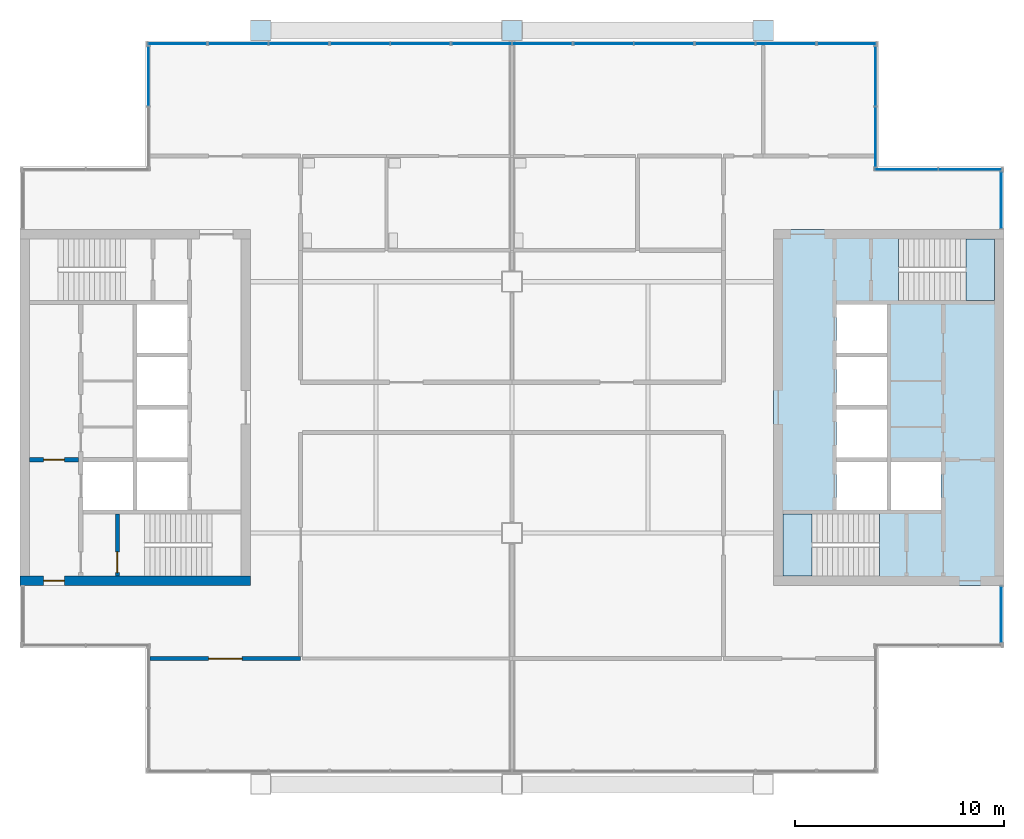
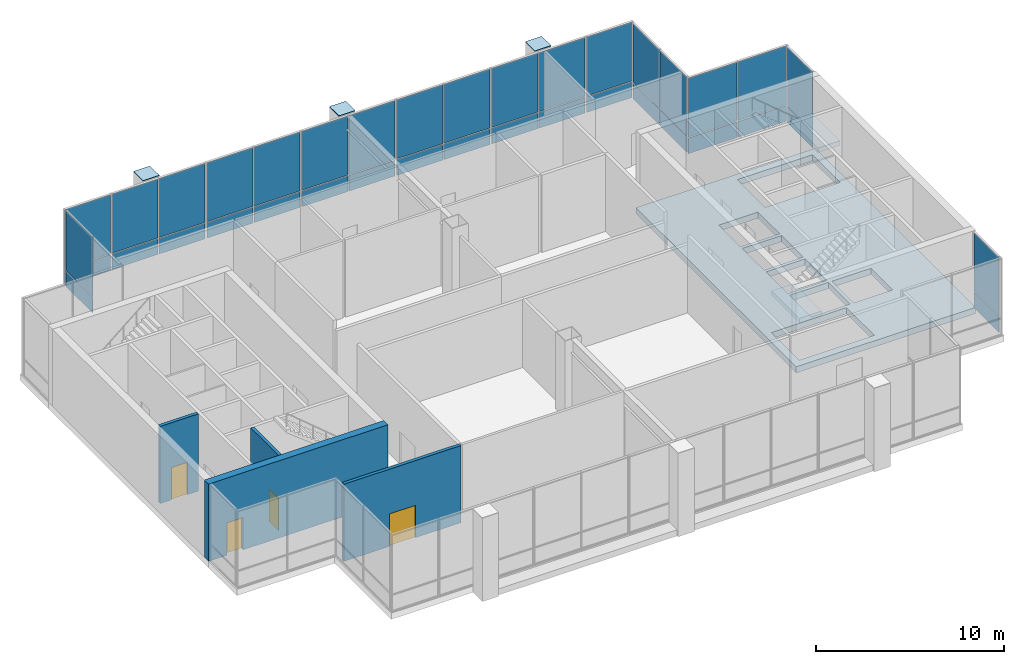
# One storey, part 10 of 15: 41 plates, 4 doors, 4 walls, 3 slabs, 4 openings, 14 elements without a shape of their own.
"""IFC4 building model written with IfcOpenShell, lengths in metres."""

import ifcopenshell
import ifcopenshell.guid

model = None  # the IFC model being written
_history = None  # IfcOwnerHistory: only IFC2X3 demands one
_inside = {}  # id of a spatial element -> (the spatial element, [elements in it])
_under = {}  # id of a project, library or spatial element -> (it, [spatial elements below it])
_declared = {}  # id of a project -> (the project, [libraries it declares])
_typed = {}  # id of a type object -> (the type object, [elements of that type])
_made_of = {}  # id of a material, layer set ... -> (it, [elements and type objects made of it])


def new_model(schema):
    """Start an empty IFC model of exactly this schema.

    Asked for "IFC4X3", IfcOpenShell would pick the latest addendum, in which some entities
    have other attributes; the version numbers below select the first issue.
    IFC2X3 requires an IfcOwnerHistory on every rooted entity: one is made here for all.
    """
    global model, _history
    if schema == "IFC4X3":
        model = ifcopenshell.file(schema_version=(4, 3, 0, 0))
    else:
        model = ifcopenshell.file(schema=schema)
    _inside.clear()
    _under.clear()
    _declared.clear()
    _typed.clear()
    _made_of.clear()
    _history = None
    if model.schema == "IFC2X3":
        org = make("IfcOrganization", Name="unknown")
        user = make(
            "IfcPersonAndOrganization",
            ThePerson=make("IfcPerson", FamilyName="unknown"),
            TheOrganization=org,
        )
        app = make(
            "IfcApplication",
            ApplicationDeveloper=org,
            Version="unknown",
            ApplicationFullName="unknown",
            ApplicationIdentifier="unknown",
        )
        _history = make(
            "IfcOwnerHistory",
            OwningUser=user,
            OwningApplication=app,
            ChangeAction="ADDED",
            CreationDate=0,
        )
    return model


def make(cls, **values):
    """One entity of the class cls with the attributes given. An attribute that is None is left unset."""
    return model.create_entity(
        cls, **{name: value for name, value in values.items() if value is not None}
    )


def rooted(cls, **values):
    """An entity with a GlobalId (a new one), such as an element, a storey or a relation."""
    return make(cls, GlobalId=ifcopenshell.guid.new(), OwnerHistory=_history, **values)


def si_unit(unit_type, name, prefix=None):
    """IfcSIUnit, for example si_unit("LENGTHUNIT", "METRE", prefix="MILLI")."""
    return make("IfcSIUnit", UnitType=unit_type, Prefix=prefix, Name=name)


def assignment(units):
    """IfcUnitAssignment: the units of a project."""
    return None if units is None else make("IfcUnitAssignment", Units=units)


def point(xyz):
    """IfcCartesianPoint."""
    return None if xyz is None else make("IfcCartesianPoint", Coordinates=xyz)


def direction(xyz):
    """IfcDirection."""
    return None if xyz is None else make("IfcDirection", DirectionRatios=xyz)


def frame(location, z_axis=None, x_axis=None):
    """IfcAxis2Placement3D, a coordinate frame: its origin and axes. An axis left out is left unset."""
    return make(
        "IfcAxis2Placement3D",
        Location=point(location),
        Axis=direction(z_axis),
        RefDirection=direction(x_axis),
    )


def frame_2d(location, x_axis=None):
    """IfcAxis2Placement2D, a coordinate frame in the plane: its origin and x axis."""
    return make(
        "IfcAxis2Placement2D", Location=point(location), RefDirection=direction(x_axis)
    )


def origin():
    """The frame at (0, 0, 0) with its axes left unset."""
    return frame((0.0, 0.0, 0.0))


def origin_2d():
    """The frame at (0, 0) in the plane with its x axis left unset."""
    return frame_2d((0.0, 0.0))


def place(relative_to, where):
    """IfcLocalPlacement: puts the frame where relative to a parent placement (None: the world)."""
    return make(
        "IfcLocalPlacement", PlacementRelTo=relative_to, RelativePlacement=where
    )


def context(
    kind, dimensions, precision=None, world=None, true_north=None, identifier=None
):
    """IfcGeometricRepresentationContext, for example the 3D "Model" context."""
    return make(
        "IfcGeometricRepresentationContext",
        ContextIdentifier=identifier,
        ContextType=kind,
        CoordinateSpaceDimension=dimensions,
        Precision=precision,
        WorldCoordinateSystem=world,
        TrueNorth=true_north,
    )


def subcontext(parent, identifier, kind, view, scale=None):
    """IfcGeometricRepresentationSubContext, for example "Body" below "Model"."""
    return make(
        "IfcGeometricRepresentationSubContext",
        ContextIdentifier=identifier,
        ContextType=kind,
        ParentContext=parent,
        TargetScale=scale,
        TargetView=view,
    )


def project(units=None, contexts=None):
    """IfcProject with its units and contexts."""
    return rooted(
        "IfcProject",
        Name="project",
        RepresentationContexts=contexts,
        UnitsInContext=assignment(units),
    )


def spatial(cls, under=None, at=None, **own):
    """A site, building, storey or space (cls), placed at a placement, below another one or the project."""
    s = rooted(cls, ObjectPlacement=at, **own)
    if under is not None:
        _under.setdefault(under.id(), (under, []))[1].append(s)
    return s


def polyline(points):
    """IfcPolyline through the points."""
    return make("IfcPolyline", Points=[point(p) for p in points])


def profile(cls, at=None, kind="AREA", **sizes):
    """A parametric profile (cls). Its sizes go by their IFC names, for example OverallWidth=200.0."""
    return make(cls, ProfileType=kind, Position=at, **sizes)


def rectangle(**sizes):
    """IfcRectangleProfileDef."""
    return profile("IfcRectangleProfileDef", **sizes)


def outline(outer, holes=None, kind="AREA"):
    """IfcArbitraryClosedProfileDef: a profile drawn as a closed curve; with holes, ...WithVoids."""
    if holes is None:
        return make("IfcArbitraryClosedProfileDef", ProfileType=kind, OuterCurve=outer)
    return make(
        "IfcArbitraryProfileDefWithVoids",
        ProfileType=kind,
        OuterCurve=outer,
        InnerCurves=holes,
    )


def extrude(swept, where, along, depth):
    """IfcExtrudedAreaSolid: the profile swept, set in the frame where, extruded along a direction by depth."""
    return make(
        "IfcExtrudedAreaSolid",
        SweptArea=swept,
        Position=where,
        ExtrudedDirection=direction(along),
        Depth=depth,
    )


def shape(context_of_items, identifier, shape_type, items):
    """IfcShapeRepresentation: the items that make up one representation, for example the "Body"."""
    return make(
        "IfcShapeRepresentation",
        ContextOfItems=context_of_items,
        RepresentationIdentifier=identifier,
        RepresentationType=shape_type,
        Items=items,
    )


def material(Name=None, Category=None):
    """IfcMaterial."""
    return make("IfcMaterial", Name=Name, Category=Category)


def layer(
    of_material, thickness, ventilated=None, Name=None, Category=None, Priority=None
):
    """IfcMaterialLayer: one layer of a wall or slab, of a material (None: an air gap)."""
    return make(
        "IfcMaterialLayer",
        Material=of_material,
        LayerThickness=thickness,
        IsVentilated=ventilated,
        Name=Name,
        Category=Category,
        Priority=Priority,
    )


def layer_set(layers, Name=None):
    """IfcMaterialLayerSet."""
    return make("IfcMaterialLayerSet", MaterialLayers=layers, LayerSetName=Name)


def made_of(thing, what):
    """Note that an element or type object is made of a material, layer set ...; save() writes the relation."""
    if what is not None:
        _made_of.setdefault(what.id(), (what, []))[1].append(thing)
    return thing


def type_object(cls, material=None, **own):
    """A type object (cls), such as IfcWallType, which elements share."""
    return made_of(rooted(cls, **own), material)


def element(
    cls,
    number,
    at=None,
    inside=None,
    cuts=None,
    type_object=None,
    material=None,
    context=None,
    identifier="Body",
    shape_type=None,
    held_by="IfcProductDefinitionShape",
    body=None,
    shapes=None,
    **own,
):
    """One element of the class cls, such as IfcWall. Its Tag is "e" and its number.

    at: its placement. inside: the storey or other place that contains it. cuts: it is an
    opening in that element (IfcRelVoidsElement). A single representation is given by context,
    identifier, shape_type and body (its items); several are given by shapes. held_by: the class
    of the entity that holds the representations. save() writes the other relations.
    """
    e = rooted(cls, Tag="e%d" % number, ObjectPlacement=at, **own)
    if body is not None:
        shapes = [shape(context, identifier, shape_type, body)]
    if shapes is not None:
        e.Representation = make(held_by, Representations=shapes)
    if inside is not None:
        _inside.setdefault(inside.id(), (inside, []))[1].append(e)
    if cuts is not None:
        rooted(
            "IfcRelVoidsElement", RelatingBuildingElement=cuts, RelatedOpeningElement=e
        )
    if type_object is not None:
        _typed.setdefault(type_object.id(), (type_object, []))[1].append(e)
    return made_of(e, material)


def fill(opening, filler):
    """IfcRelFillsElement: the door or window that sits in an opening."""
    return rooted(
        "IfcRelFillsElement",
        RelatingOpeningElement=opening,
        RelatedBuildingElement=filler,
    )


def aggregate(whole, parts):
    """IfcRelAggregates: a whole, such as a stair, and the parts it consists of."""
    return rooted("IfcRelAggregates", RelatingObject=whole, RelatedObjects=parts)


def save(model, path):
    """Write the relations noted so far, then the file.

    IfcRelAggregates (storeys below a building ...), IfcRelContainedInSpatialStructure (elements
    in a storey), IfcRelDefinesByType, IfcRelAssociatesMaterial and IfcRelDeclares: one each for
    every whole, place, type object, material and project.
    """
    for whole, parts in _under.values():
        aggregate(whole, parts)
    for where, things in _inside.values():
        rooted(
            "IfcRelContainedInSpatialStructure",
            RelatedElements=things,
            RelatingStructure=where,
        )
    for kind, things in _typed.values():
        rooted("IfcRelDefinesByType", RelatedObjects=things, RelatingType=kind)
    for what, things in _made_of.values():
        rooted("IfcRelAssociatesMaterial", RelatedObjects=things, RelatingMaterial=what)
    for by, libraries in _declared.values():
        rooted("IfcRelDeclares", RelatingContext=by, RelatedDefinitions=libraries)
    model.write(path)


model = new_model("IFC4")

# Units and contexts
model_context = context("Model", 3, precision=1e-05, world=origin(), true_north=direction((0.0, 1.0)))
body_context = subcontext(model_context, "Body", "Model", "MODEL_VIEW")
ifc_project = project(units=[si_unit("LENGTHUNIT", "METRE"), si_unit("AREAUNIT", "SQUARE_METRE"), si_unit("VOLUMEUNIT", "CUBIC_METRE"), si_unit("PLANEANGLEUNIT", "RADIAN"), si_unit("MASSUNIT", "GRAM", prefix="KILO")], contexts=[model_context])

# Site, building, storey
site_placement = place(None, origin())
site = spatial("IfcSite", under=ifc_project, at=site_placement, CompositionType="ELEMENT")
building_placement = place(site_placement, origin())
building = spatial("IfcBuilding", under=site, at=building_placement, Name="Kitamizu Gate Tower and Museum", CompositionType="ELEMENT")
storey_placement = place(building_placement, frame((0.0, 0.0, 277.949951171875)))
storey = spatial("IfcBuildingStorey", under=building, at=storey_placement, Name="L75", CompositionType="ELEMENT", Elevation=277.949951171875)

# Slab
ifc_material_1 = material(Name="Concrete Fc36", Category="concrete")
ifc_layer_1 = layer(ifc_material_1, 0.39990234375)
ifc_layer_set_1 = layer_set([ifc_layer_1], Name="Concrete Fc36")
slab_type_1 = type_object("IfcSlabType", Name="Core floor slab 400", PredefinedType="FLOOR", material=ifc_layer_set_1)
slab_1_placement = place(storey_placement, frame((0.0, 0.0, -0.39990234375)))
element("IfcSlab", 1, at=slab_1_placement, inside=storey, type_object=slab_type_1, Name="Core floor slab E", PredefinedType="FLOOR", context=body_context, shape_type="SweptSolid", body=[
    extrude(outline(polyline([(48.5, 21.5), (59.5, 21.5), (59.5, 38.5), (48.5, 38.5), (48.5, 21.5)]), holes=[polyline([(54.10009765625, 25.10009765625), (56.5, 25.10009765625), (56.5, 27.39990234375), (54.10009765625, 27.39990234375), (54.10009765625, 25.10009765625)]), polyline([(51.5, 25.10009765625), (53.89990234375, 25.10009765625), (53.89990234375, 27.39990234375), (51.5, 27.39990234375), (51.5, 25.10009765625)]), polyline([(51.5, 27.60009765625), (53.89990234375, 27.60009765625), (53.89990234375, 29.89990234375), (51.5, 29.89990234375), (51.5, 27.60009765625)]), polyline([(51.5, 30.10009765625), (53.89990234375, 30.10009765625), (53.89990234375, 32.39990234375), (51.5, 32.39990234375), (51.5, 30.10009765625)]), polyline([(51.5, 32.60009765625), (53.89990234375, 32.60009765625), (53.89990234375, 34.89990234375), (51.5, 34.89990234375), (51.5, 32.60009765625)]), polyline([(48.949951171875, 21.949951171875), (53.54931640625, 21.949951171875), (53.54931640625, 24.89990234375), (48.949951171875, 24.89990234375), (48.949951171875, 21.949951171875)]), polyline([(54.45068359375, 35.10009765625), (59.050048828125, 35.10009765625), (59.050048828125, 38.050048828125), (54.45068359375, 38.050048828125), (54.45068359375, 35.10009765625)])]), origin(), (0.0, 0.0, 1.0), 0.39990234375),
])

# Plates
ifc_material_2 = material(Name="Steel SM490A bronze coated", Category="steel")
ifc_layer_2 = layer(ifc_material_2, 0.035888671875)
ifc_layer_set_2 = layer_set([ifc_layer_2], Name="Steel SM490A bronze coated")
plate_type_1 = type_object("IfcPlateType", Name="Exoskeleton column cap plate XC9 36", PredefinedType="USERDEFINED", material=ifc_layer_set_2)
for number, where, z_axis, x_axis, name in (
    (2, (24.0, 48.0, 5.0), (0.0, 0.0, 1.0), (1.0, 0.0, 0.0), "Exoskeleton column cap plate XC9 3E L75"),
    (3, (36.0, 48.0, 5.0), (0.0, 0.0, 1.0), (1.0, 0.0, 0.0), "Exoskeleton column cap plate XC9 4E L75"),
    (4, (48.0, 48.0, 5.0), (0.0, 0.0, 1.0), (1.0, 0.0, 0.0), "Exoskeleton column cap plate XC9 5E L75"),
):
    element("IfcPlate", number, at=place(storey_placement, frame(where, z_axis=z_axis, x_axis=x_axis)), inside=storey, type_object=plate_type_1, Name=name, ObjectType="COLUMN CAP PLATE", PredefinedType="USERDEFINED", context=body_context, shape_type="SweptSolid", body=[
        extrude(rectangle(XDim=1.0, YDim=1.0, at=origin_2d()), origin(), (0.0, 0.0, 1.0), 0.035888671875),
    ])

# Curtain wall, plates
ifc_material_3 = material(Name="Bronze anodised aluminium frame, tinted triple glazing", Category="aluminium")
curtain_wall_type_1 = type_object("IfcCurtainWallType", Name="CURTAIN WALL TYPE C SKY AMENITY", PredefinedType="NOTDEFINED", material=ifc_material_3)
curtain_wall_1_placement = place(storey_placement, origin())
curtain_wall_1 = element("IfcCurtainWall", 5, at=curtain_wall_1_placement, inside=storey, type_object=curtain_wall_type_1, Name="Curtain wall CW-C east L75", PredefinedType="NOTDEFINED")
ifc_material_4 = material(Name="Tinted insulating glass", Category="glass")
ifc_layer_3 = layer(ifc_material_4, 0.031982421875)
ifc_layer_set_3 = layer_set([ifc_layer_3], Name="Tinted insulating glass")
plate_type_2 = type_object("IfcPlateType", Name="GLASS PANEL 32 TYPE C", PredefinedType="CURTAIN_PANEL", material=ifc_layer_set_3)
plate_1_placement = place(storey_placement, frame((59.364990234375, 20.10498046875, 0.06005859375), z_axis=(0.0, 0.0, 1.0), x_axis=(0.0, 1.0, 0.0)))
plate_1 = element("IfcPlate", 6, at=plate_1_placement, type_object=plate_type_2, Name="CW-C panel 1.1", PredefinedType="CURTAIN_PANEL", context=body_context, shape_type="SweptSolid", body=[
    extrude(rectangle(XDim=2.669921875, YDim=0.031982421875, at=origin_2d()), origin(), (0.0, 0.0, 1.0), 1.010009765625),
])
plate_2_placement = place(storey_placement, frame((59.364990234375, 20.10498046875, 1.130126953125), z_axis=(0.0, 0.0, 1.0), x_axis=(0.0, 1.0, 0.0)))
plate_2 = element("IfcPlate", 7, at=plate_2_placement, type_object=plate_type_2, Name="CW-C panel 1.2", PredefinedType="CURTAIN_PANEL", context=body_context, shape_type="SweptSolid", body=[
    extrude(rectangle(XDim=2.669921875, YDim=0.031982421875, at=origin_2d()), origin(), (0.0, 0.0, 1.0), 3.81005859375),
])
aggregate(curtain_wall_1, [plate_1, plate_2])

curtain_wall_2_placement = place(storey_placement, origin())
curtain_wall_2 = element("IfcCurtainWall", 8, at=curtain_wall_2_placement, inside=storey, type_object=curtain_wall_type_1, Name="Curtain wall CW-C east L75", PredefinedType="NOTDEFINED")
plate_3_placement = place(storey_placement, frame((59.364990234375, 39.89501953125, 0.06005859375), z_axis=(0.0, 0.0, 1.0), x_axis=(0.0, 1.0, 0.0)))
plate_3 = element("IfcPlate", 9, at=plate_3_placement, type_object=plate_type_2, Name="CW-C panel 1.1", PredefinedType="CURTAIN_PANEL", context=body_context, shape_type="SweptSolid", body=[
    extrude(rectangle(XDim=2.669921875, YDim=0.031982421875, at=origin_2d()), origin(), (0.0, 0.0, 1.0), 1.010009765625),
])
plate_4_placement = place(storey_placement, frame((59.364990234375, 39.89501953125, 1.130126953125), z_axis=(0.0, 0.0, 1.0), x_axis=(0.0, 1.0, 0.0)))
plate_4 = element("IfcPlate", 10, at=plate_4_placement, type_object=plate_type_2, Name="CW-C panel 1.2", PredefinedType="CURTAIN_PANEL", context=body_context, shape_type="SweptSolid", body=[
    extrude(rectangle(XDim=2.669921875, YDim=0.031982421875, at=origin_2d()), origin(), (0.0, 0.0, 1.0), 3.81005859375),
])
aggregate(curtain_wall_2, [plate_3, plate_4])

curtain_wall_3_placement = place(storey_placement, origin())
curtain_wall_3 = element("IfcCurtainWall", 11, at=curtain_wall_3_placement, inside=storey, type_object=curtain_wall_type_1, Name="Curtain wall CW-C north L75", PredefinedType="NOTDEFINED")
plate_5_placement = place(storey_placement, frame((54.842529296875, 41.364990234375, 0.06005859375), z_axis=(0.0, 0.0, 1.0), x_axis=(1.0, 0.0, 0.0)))
plate_5 = element("IfcPlate", 12, at=plate_5_placement, type_object=plate_type_2, Name="CW-C panel 1.1", PredefinedType="CURTAIN_PANEL", context=body_context, shape_type="SweptSolid", body=[
    extrude(rectangle(XDim=2.985107421875, YDim=0.031982421875, at=origin_2d()), origin(), (0.0, 0.0, 1.0), 1.010009765625),
])
plate_6_placement = place(storey_placement, frame((54.842529296875, 41.364990234375, 1.130126953125), z_axis=(0.0, 0.0, 1.0), x_axis=(1.0, 0.0, 0.0)))
plate_6 = element("IfcPlate", 13, at=plate_6_placement, type_object=plate_type_2, Name="CW-C panel 1.2", PredefinedType="CURTAIN_PANEL", context=body_context, shape_type="SweptSolid", body=[
    extrude(rectangle(XDim=2.985107421875, YDim=0.031982421875, at=origin_2d()), origin(), (0.0, 0.0, 1.0), 3.81005859375),
])
plate_7_placement = place(storey_placement, frame((57.887451171875, 41.364990234375, 0.06005859375), z_axis=(0.0, 0.0, 1.0), x_axis=(1.0, 0.0, 0.0)))
plate_7 = element("IfcPlate", 14, at=plate_7_placement, type_object=plate_type_2, Name="CW-C panel 2.1", PredefinedType="CURTAIN_PANEL", context=body_context, shape_type="SweptSolid", body=[
    extrude(rectangle(XDim=2.985107421875, YDim=0.031982421875, at=origin_2d()), origin(), (0.0, 0.0, 1.0), 1.010009765625),
])
plate_8_placement = place(storey_placement, frame((57.887451171875, 41.364990234375, 1.130126953125), z_axis=(0.0, 0.0, 1.0), x_axis=(1.0, 0.0, 0.0)))
plate_8 = element("IfcPlate", 15, at=plate_8_placement, type_object=plate_type_2, Name="CW-C panel 2.2", PredefinedType="CURTAIN_PANEL", context=body_context, shape_type="SweptSolid", body=[
    extrude(rectangle(XDim=2.985107421875, YDim=0.031982421875, at=origin_2d()), origin(), (0.0, 0.0, 1.0), 3.81005859375),
])
aggregate(curtain_wall_3, [plate_5, plate_6, plate_7, plate_8])

curtain_wall_4_placement = place(storey_placement, origin())
curtain_wall_4 = element("IfcCurtainWall", 16, at=curtain_wall_4_placement, inside=storey, type_object=curtain_wall_type_1, Name="Curtain wall CW-C east L75", PredefinedType="NOTDEFINED")
plate_9_placement = place(storey_placement, frame((53.364990234375, 42.91748046875, 0.06005859375), z_axis=(0.0, 0.0, 1.0), x_axis=(0.0, 1.0, 0.0)))
plate_9 = element("IfcPlate", 17, at=plate_9_placement, type_object=plate_type_2, Name="CW-C panel 1.1", PredefinedType="CURTAIN_PANEL", context=body_context, shape_type="SweptSolid", body=[
    extrude(rectangle(XDim=2.8349609375, YDim=0.031982421875, at=origin_2d()), origin(), (0.0, 0.0, 1.0), 1.010009765625),
])
plate_10_placement = place(storey_placement, frame((53.364990234375, 42.91748046875, 1.130126953125), z_axis=(0.0, 0.0, 1.0), x_axis=(0.0, 1.0, 0.0)))
plate_10 = element("IfcPlate", 18, at=plate_10_placement, type_object=plate_type_2, Name="CW-C panel 1.2", PredefinedType="CURTAIN_PANEL", context=body_context, shape_type="SweptSolid", body=[
    extrude(rectangle(XDim=2.8349609375, YDim=0.031982421875, at=origin_2d()), origin(), (0.0, 0.0, 1.0), 3.81005859375),
])
plate_11_placement = place(storey_placement, frame((53.364990234375, 45.8125, 0.06005859375), z_axis=(0.0, 0.0, 1.0), x_axis=(0.0, 1.0, 0.0)))
plate_11 = element("IfcPlate", 19, at=plate_11_placement, type_object=plate_type_2, Name="CW-C panel 2.1", PredefinedType="CURTAIN_PANEL", context=body_context, shape_type="SweptSolid", body=[
    extrude(rectangle(XDim=2.8349609375, YDim=0.031982421875, at=origin_2d()), origin(), (0.0, 0.0, 1.0), 1.010009765625),
])
plate_12_placement = place(storey_placement, frame((53.364990234375, 45.8125, 1.130126953125), z_axis=(0.0, 0.0, 1.0), x_axis=(0.0, 1.0, 0.0)))
plate_12 = element("IfcPlate", 20, at=plate_12_placement, type_object=plate_type_2, Name="CW-C panel 2.2", PredefinedType="CURTAIN_PANEL", context=body_context, shape_type="SweptSolid", body=[
    extrude(rectangle(XDim=2.8349609375, YDim=0.031982421875, at=origin_2d()), origin(), (0.0, 0.0, 1.0), 3.81005859375),
])
aggregate(curtain_wall_4, [plate_9, plate_10, plate_11, plate_12])

curtain_wall_5_placement = place(storey_placement, origin())
curtain_wall_5 = element("IfcCurtainWall", 21, at=curtain_wall_5_placement, inside=storey, type_object=curtain_wall_type_1, Name="Curtain wall CW-C north L75 part 1", PredefinedType="NOTDEFINED")
plate_13_placement = place(storey_placement, frame((20.013427734375, 47.364990234375, 0.06005859375), z_axis=(0.0, 0.0, 1.0), x_axis=(1.0, 0.0, 0.0)))
plate_13 = element("IfcPlate", 22, at=plate_13_placement, type_object=plate_type_2, Name="CW-C panel 1.1", PredefinedType="CURTAIN_PANEL", context=body_context, shape_type="SweptSolid", body=[
    extrude(rectangle(XDim=2.78662109375, YDim=0.031982421875, at=origin_2d()), origin(), (0.0, 0.0, 1.0), 1.010009765625),
])
plate_14_placement = place(storey_placement, frame((20.013427734375, 47.364990234375, 1.130126953125), z_axis=(0.0, 0.0, 1.0), x_axis=(1.0, 0.0, 0.0)))
plate_14 = element("IfcPlate", 23, at=plate_14_placement, type_object=plate_type_2, Name="CW-C panel 1.2", PredefinedType="CURTAIN_PANEL", context=body_context, shape_type="SweptSolid", body=[
    extrude(rectangle(XDim=2.78662109375, YDim=0.031982421875, at=origin_2d()), origin(), (0.0, 0.0, 1.0), 3.81005859375),
])
aggregate(curtain_wall_5, [plate_13, plate_14])

curtain_wall_6_placement = place(storey_placement, origin())
curtain_wall_6 = element("IfcCurtainWall", 24, at=curtain_wall_6_placement, inside=storey, type_object=curtain_wall_type_1, Name="Curtain wall CW-C north L75 part 3", PredefinedType="NOTDEFINED")
plate_15_placement = place(storey_placement, frame((28.748291015625, 47.364990234375, 0.06005859375), z_axis=(0.0, 0.0, 1.0), x_axis=(1.0, 0.0, 0.0)))
plate_15 = element("IfcPlate", 25, at=plate_15_placement, type_object=plate_type_2, Name="CW-C panel 1.1", PredefinedType="CURTAIN_PANEL", context=body_context, shape_type="SweptSolid", body=[
    extrude(rectangle(XDim=2.816650390625, YDim=0.031982421875, at=origin_2d()), origin(), (0.0, 0.0, 1.0), 1.010009765625),
])
plate_16_placement = place(storey_placement, frame((28.748291015625, 47.364990234375, 1.130126953125), z_axis=(0.0, 0.0, 1.0), x_axis=(1.0, 0.0, 0.0)))
plate_16 = element("IfcPlate", 26, at=plate_16_placement, type_object=plate_type_2, Name="CW-C panel 1.2", PredefinedType="CURTAIN_PANEL", context=body_context, shape_type="SweptSolid", body=[
    extrude(rectangle(XDim=2.816650390625, YDim=0.031982421875, at=origin_2d()), origin(), (0.0, 0.0, 1.0), 3.81005859375),
])
plate_17_placement = place(storey_placement, frame((31.625, 47.364990234375, 0.06005859375), z_axis=(0.0, 0.0, 1.0), x_axis=(1.0, 0.0, 0.0)))
plate_17 = element("IfcPlate", 27, at=plate_17_placement, type_object=plate_type_2, Name="CW-C panel 2.1", PredefinedType="CURTAIN_PANEL", context=body_context, shape_type="SweptSolid", body=[
    extrude(rectangle(XDim=2.816650390625, YDim=0.031982421875, at=origin_2d()), origin(), (0.0, 0.0, 1.0), 1.010009765625),
])
plate_18_placement = place(storey_placement, frame((31.625, 47.364990234375, 1.130126953125), z_axis=(0.0, 0.0, 1.0), x_axis=(1.0, 0.0, 0.0)))
plate_18 = element("IfcPlate", 28, at=plate_18_placement, type_object=plate_type_2, Name="CW-C panel 2.2", PredefinedType="CURTAIN_PANEL", context=body_context, shape_type="SweptSolid", body=[
    extrude(rectangle(XDim=2.816650390625, YDim=0.031982421875, at=origin_2d()), origin(), (0.0, 0.0, 1.0), 3.81005859375),
])
aggregate(curtain_wall_6, [plate_15, plate_16, plate_17, plate_18])

curtain_wall_7_placement = place(storey_placement, origin())
curtain_wall_7 = element("IfcCurtainWall", 29, at=curtain_wall_7_placement, inside=storey, type_object=curtain_wall_type_1, Name="Curtain wall CW-C north L75 part 5", PredefinedType="NOTDEFINED")
plate_19_placement = place(storey_placement, frame((40.375, 47.364990234375, 0.06005859375), z_axis=(0.0, 0.0, 1.0), x_axis=(1.0, 0.0, 0.0)))
plate_19 = element("IfcPlate", 30, at=plate_19_placement, type_object=plate_type_2, Name="CW-C panel 1.1", PredefinedType="CURTAIN_PANEL", context=body_context, shape_type="SweptSolid", body=[
    extrude(rectangle(XDim=2.816650390625, YDim=0.031982421875, at=origin_2d()), origin(), (0.0, 0.0, 1.0), 1.010009765625),
])
plate_20_placement = place(storey_placement, frame((40.375, 47.364990234375, 1.130126953125), z_axis=(0.0, 0.0, 1.0), x_axis=(1.0, 0.0, 0.0)))
plate_20 = element("IfcPlate", 31, at=plate_20_placement, type_object=plate_type_2, Name="CW-C panel 1.2", PredefinedType="CURTAIN_PANEL", context=body_context, shape_type="SweptSolid", body=[
    extrude(rectangle(XDim=2.816650390625, YDim=0.031982421875, at=origin_2d()), origin(), (0.0, 0.0, 1.0), 3.81005859375),
])
plate_21_placement = place(storey_placement, frame((43.251708984375, 47.364990234375, 0.06005859375), z_axis=(0.0, 0.0, 1.0), x_axis=(1.0, 0.0, 0.0)))
plate_21 = element("IfcPlate", 32, at=plate_21_placement, type_object=plate_type_2, Name="CW-C panel 2.1", PredefinedType="CURTAIN_PANEL", context=body_context, shape_type="SweptSolid", body=[
    extrude(rectangle(XDim=2.816650390625, YDim=0.031982421875, at=origin_2d()), origin(), (0.0, 0.0, 1.0), 1.010009765625),
])
plate_22_placement = place(storey_placement, frame((43.251708984375, 47.364990234375, 1.130126953125), z_axis=(0.0, 0.0, 1.0), x_axis=(1.0, 0.0, 0.0)))
plate_22 = element("IfcPlate", 33, at=plate_22_placement, type_object=plate_type_2, Name="CW-C panel 2.2", PredefinedType="CURTAIN_PANEL", context=body_context, shape_type="SweptSolid", body=[
    extrude(rectangle(XDim=2.816650390625, YDim=0.031982421875, at=origin_2d()), origin(), (0.0, 0.0, 1.0), 3.81005859375),
])
aggregate(curtain_wall_7, [plate_19, plate_20, plate_21, plate_22])

curtain_wall_8_placement = place(storey_placement, origin())
curtain_wall_8 = element("IfcCurtainWall", 34, at=curtain_wall_8_placement, inside=storey, type_object=curtain_wall_type_1, Name="Curtain wall CW-C north L75 part 7", PredefinedType="NOTDEFINED")
plate_23_placement = place(storey_placement, frame((51.986572265625, 47.364990234375, 0.06005859375), z_axis=(0.0, 0.0, 1.0), x_axis=(1.0, 0.0, 0.0)))
plate_23 = element("IfcPlate", 35, at=plate_23_placement, type_object=plate_type_2, Name="CW-C panel 1.1", PredefinedType="CURTAIN_PANEL", context=body_context, shape_type="SweptSolid", body=[
    extrude(rectangle(XDim=2.78662109375, YDim=0.031982421875, at=origin_2d()), origin(), (0.0, 0.0, 1.0), 1.010009765625),
])
plate_24_placement = place(storey_placement, frame((51.986572265625, 47.364990234375, 1.130126953125), z_axis=(0.0, 0.0, 1.0), x_axis=(1.0, 0.0, 0.0)))
plate_24 = element("IfcPlate", 36, at=plate_24_placement, type_object=plate_type_2, Name="CW-C panel 1.2", PredefinedType="CURTAIN_PANEL", context=body_context, shape_type="SweptSolid", body=[
    extrude(rectangle(XDim=2.78662109375, YDim=0.031982421875, at=origin_2d()), origin(), (0.0, 0.0, 1.0), 3.81005859375),
])
aggregate(curtain_wall_8, [plate_23, plate_24])

curtain_wall_9_placement = place(storey_placement, origin())
curtain_wall_9 = element("IfcCurtainWall", 37, at=curtain_wall_9_placement, inside=storey, type_object=curtain_wall_type_1, Name="Curtain wall CW-C west L75", PredefinedType="NOTDEFINED")
plate_25_placement = place(storey_placement, frame((18.635009765625, 45.8125, 0.06005859375), z_axis=(0.0, 0.0, 1.0), x_axis=(0.0, 1.0, 0.0)))
plate_25 = element("IfcPlate", 38, at=plate_25_placement, type_object=plate_type_2, Name="CW-C panel 2.1", PredefinedType="CURTAIN_PANEL", context=body_context, shape_type="SweptSolid", body=[
    extrude(rectangle(XDim=2.8349609375, YDim=0.031982421875, at=origin_2d()), origin(), (0.0, 0.0, 1.0), 1.010009765625),
])
plate_26_placement = place(storey_placement, frame((18.635009765625, 45.8125, 1.130126953125), z_axis=(0.0, 0.0, 1.0), x_axis=(0.0, 1.0, 0.0)))
plate_26 = element("IfcPlate", 39, at=plate_26_placement, type_object=plate_type_2, Name="CW-C panel 2.2", PredefinedType="CURTAIN_PANEL", context=body_context, shape_type="SweptSolid", body=[
    extrude(rectangle(XDim=2.8349609375, YDim=0.031982421875, at=origin_2d()), origin(), (0.0, 0.0, 1.0), 3.81005859375),
])
aggregate(curtain_wall_9, [plate_25, plate_26])

ifc_material_5 = material(Name="Bronze anodised aluminium frame, insulated panels", Category="aluminium")
curtain_wall_type_2 = type_object("IfcCurtainWallType", Name="CURTAIN WALL TYPE C SKY AMENITY INSULATED", PredefinedType="NOTDEFINED", material=ifc_material_5)
curtain_wall_10_placement = place(storey_placement, origin())
curtain_wall_10 = element("IfcCurtainWall", 40, at=curtain_wall_10_placement, inside=storey, type_object=curtain_wall_type_2, Name="Curtain wall CW-CI north L75 part 2", PredefinedType="NOTDEFINED")
ifc_material_6 = material(Name="Bronze anodised aluminium insulated panel", Category="aluminium")
ifc_layer_4 = layer(ifc_material_6, 0.031982421875)
ifc_layer_set_4 = layer_set([ifc_layer_4], Name="Bronze anodised aluminium insulated panel")
plate_type_3 = type_object("IfcPlateType", Name="INSULATED PANEL 32 TYPE C", PredefinedType="CURTAIN_PANEL", material=ifc_layer_set_4)
plate_27_placement = place(storey_placement, frame((22.93505859375, 47.364990234375, 0.06005859375), z_axis=(0.0, 0.0, 1.0), x_axis=(1.0, 0.0, 0.0)))
plate_27 = element("IfcPlate", 41, at=plate_27_placement, type_object=plate_type_3, Name="CW-CI panel 1.1", PredefinedType="CURTAIN_PANEL", context=body_context, shape_type="SweptSolid", body=[
    extrude(rectangle(XDim=2.816650390625, YDim=0.031982421875, at=origin_2d()), origin(), (0.0, 0.0, 1.0), 1.010009765625),
])
plate_28_placement = place(storey_placement, frame((22.93505859375, 47.364990234375, 1.130126953125), z_axis=(0.0, 0.0, 1.0), x_axis=(1.0, 0.0, 0.0)))
plate_28 = element("IfcPlate", 42, at=plate_28_placement, type_object=plate_type_3, Name="CW-CI panel 1.2", PredefinedType="CURTAIN_PANEL", context=body_context, shape_type="SweptSolid", body=[
    extrude(rectangle(XDim=2.816650390625, YDim=0.031982421875, at=origin_2d()), origin(), (0.0, 0.0, 1.0), 3.81005859375),
])
plate_29_placement = place(storey_placement, frame((25.811767578125, 47.364990234375, 0.06005859375), z_axis=(0.0, 0.0, 1.0), x_axis=(1.0, 0.0, 0.0)))
plate_29 = element("IfcPlate", 43, at=plate_29_placement, type_object=plate_type_3, Name="CW-CI panel 2.1", PredefinedType="CURTAIN_PANEL", context=body_context, shape_type="SweptSolid", body=[
    extrude(rectangle(XDim=2.816650390625, YDim=0.031982421875, at=origin_2d()), origin(), (0.0, 0.0, 1.0), 1.010009765625),
])
plate_30_placement = place(storey_placement, frame((25.811767578125, 47.364990234375, 1.130126953125), z_axis=(0.0, 0.0, 1.0), x_axis=(1.0, 0.0, 0.0)))
plate_30 = element("IfcPlate", 44, at=plate_30_placement, type_object=plate_type_3, Name="CW-CI panel 2.2", PredefinedType="CURTAIN_PANEL", context=body_context, shape_type="SweptSolid", body=[
    extrude(rectangle(XDim=2.816650390625, YDim=0.031982421875, at=origin_2d()), origin(), (0.0, 0.0, 1.0), 3.81005859375),
])
aggregate(curtain_wall_10, [plate_27, plate_28, plate_29, plate_30])

curtain_wall_11_placement = place(storey_placement, origin())
curtain_wall_11 = element("IfcCurtainWall", 45, at=curtain_wall_11_placement, inside=storey, type_object=curtain_wall_type_2, Name="Curtain wall CW-CI north L75 part 4", PredefinedType="NOTDEFINED")
plate_31_placement = place(storey_placement, frame((34.561767578125, 47.364990234375, 0.06005859375), z_axis=(0.0, 0.0, 1.0), x_axis=(1.0, 0.0, 0.0)))
plate_31 = element("IfcPlate", 46, at=plate_31_placement, type_object=plate_type_3, Name="CW-CI panel 1.1", PredefinedType="CURTAIN_PANEL", context=body_context, shape_type="SweptSolid", body=[
    extrude(rectangle(XDim=2.816650390625, YDim=0.031982421875, at=origin_2d()), origin(), (0.0, 0.0, 1.0), 1.010009765625),
])
plate_32_placement = place(storey_placement, frame((34.561767578125, 47.364990234375, 1.130126953125), z_axis=(0.0, 0.0, 1.0), x_axis=(1.0, 0.0, 0.0)))
plate_32 = element("IfcPlate", 47, at=plate_32_placement, type_object=plate_type_3, Name="CW-CI panel 1.2", PredefinedType="CURTAIN_PANEL", context=body_context, shape_type="SweptSolid", body=[
    extrude(rectangle(XDim=2.816650390625, YDim=0.031982421875, at=origin_2d()), origin(), (0.0, 0.0, 1.0), 3.81005859375),
])
plate_33_placement = place(storey_placement, frame((37.438232421875, 47.364990234375, 0.06005859375), z_axis=(0.0, 0.0, 1.0), x_axis=(1.0, 0.0, 0.0)))
plate_33 = element("IfcPlate", 48, at=plate_33_placement, type_object=plate_type_3, Name="CW-CI panel 2.1", PredefinedType="CURTAIN_PANEL", context=body_context, shape_type="SweptSolid", body=[
    extrude(rectangle(XDim=2.816650390625, YDim=0.031982421875, at=origin_2d()), origin(), (0.0, 0.0, 1.0), 1.010009765625),
])
plate_34_placement = place(storey_placement, frame((37.438232421875, 47.364990234375, 1.130126953125), z_axis=(0.0, 0.0, 1.0), x_axis=(1.0, 0.0, 0.0)))
plate_34 = element("IfcPlate", 49, at=plate_34_placement, type_object=plate_type_3, Name="CW-CI panel 2.2", PredefinedType="CURTAIN_PANEL", context=body_context, shape_type="SweptSolid", body=[
    extrude(rectangle(XDim=2.816650390625, YDim=0.031982421875, at=origin_2d()), origin(), (0.0, 0.0, 1.0), 3.81005859375),
])
aggregate(curtain_wall_11, [plate_31, plate_32, plate_33, plate_34])

curtain_wall_12_placement = place(storey_placement, origin())
curtain_wall_12 = element("IfcCurtainWall", 50, at=curtain_wall_12_placement, inside=storey, type_object=curtain_wall_type_2, Name="Curtain wall CW-CI north L75 part 6", PredefinedType="NOTDEFINED")
plate_35_placement = place(storey_placement, frame((46.188232421875, 47.364990234375, 0.06005859375), z_axis=(0.0, 0.0, 1.0), x_axis=(1.0, 0.0, 0.0)))
plate_35 = element("IfcPlate", 51, at=plate_35_placement, type_object=plate_type_3, Name="CW-CI panel 1.1", PredefinedType="CURTAIN_PANEL", context=body_context, shape_type="SweptSolid", body=[
    extrude(rectangle(XDim=2.816650390625, YDim=0.031982421875, at=origin_2d()), origin(), (0.0, 0.0, 1.0), 1.010009765625),
])
plate_36_placement = place(storey_placement, frame((46.188232421875, 47.364990234375, 1.130126953125), z_axis=(0.0, 0.0, 1.0), x_axis=(1.0, 0.0, 0.0)))
plate_36 = element("IfcPlate", 52, at=plate_36_placement, type_object=plate_type_3, Name="CW-CI panel 1.2", PredefinedType="CURTAIN_PANEL", context=body_context, shape_type="SweptSolid", body=[
    extrude(rectangle(XDim=2.816650390625, YDim=0.031982421875, at=origin_2d()), origin(), (0.0, 0.0, 1.0), 3.81005859375),
])
plate_37_placement = place(storey_placement, frame((49.06494140625, 47.364990234375, 0.06005859375), z_axis=(0.0, 0.0, 1.0), x_axis=(1.0, 0.0, 0.0)))
plate_37 = element("IfcPlate", 53, at=plate_37_placement, type_object=plate_type_3, Name="CW-CI panel 2.1", PredefinedType="CURTAIN_PANEL", context=body_context, shape_type="SweptSolid", body=[
    extrude(rectangle(XDim=2.816650390625, YDim=0.031982421875, at=origin_2d()), origin(), (0.0, 0.0, 1.0), 1.010009765625),
])
plate_38_placement = place(storey_placement, frame((49.06494140625, 47.364990234375, 1.130126953125), z_axis=(0.0, 0.0, 1.0), x_axis=(1.0, 0.0, 0.0)))
plate_38 = element("IfcPlate", 54, at=plate_38_placement, type_object=plate_type_3, Name="CW-CI panel 2.2", PredefinedType="CURTAIN_PANEL", context=body_context, shape_type="SweptSolid", body=[
    extrude(rectangle(XDim=2.816650390625, YDim=0.031982421875, at=origin_2d()), origin(), (0.0, 0.0, 1.0), 3.81005859375),
])
aggregate(curtain_wall_12, [plate_35, plate_36, plate_37, plate_38])

# Stair, slab
ifc_material_7 = material(Name="Concrete Fc42", Category="concrete")
stair_type = type_object("IfcStairType", Name="Exit stair 1375 wide 193 rise 248 going", PredefinedType="HALF_TURN_STAIR", material=ifc_material_7)
stair_1_placement = place(storey_placement, origin())
stair_1 = element("IfcStair", 55, at=stair_1_placement, inside=storey, type_object=stair_type, Name="Exit stair ST3", PredefinedType="HALF_TURN_STAIR")
ifc_material_8 = material(Name="Concrete Fc42", Category="concrete")
ifc_layer_5 = layer(ifc_material_8, 0.300048828125)
ifc_layer_set_5 = layer_set([ifc_layer_5], Name="Concrete Fc42")
slab_type_2 = type_object("IfcSlabType", Name="Stair landing 300", PredefinedType="LANDING", material=ifc_layer_set_5)
slab_2_placement = place(storey_placement, frame((0.0, 0.0, 2.400146484375)))
slab_2 = element("IfcSlab", 56, at=slab_2_placement, type_object=slab_type_2, Name="ST3 landing 1", PredefinedType="LANDING", context=body_context, shape_type="SweptSolid", body=[
    extrude(outline(polyline([(48.949951171875, 21.949951171875), (50.324951171875, 21.949951171875), (50.324951171875, 24.89990234375), (48.949951171875, 24.89990234375), (48.949951171875, 21.949951171875)])), origin(), (0.0, 0.0, 1.0), 0.2998046875),
])
aggregate(stair_1, [slab_2])

stair_2_placement = place(storey_placement, origin())
stair_2 = element("IfcStair", 57, at=stair_2_placement, inside=storey, type_object=stair_type, Name="Exit stair ST4", PredefinedType="HALF_TURN_STAIR")
slab_3_placement = place(storey_placement, frame((0.0, 0.0, 2.400146484375)))
slab_3 = element("IfcSlab", 58, at=slab_3_placement, type_object=slab_type_2, Name="ST4 landing 1", PredefinedType="LANDING", context=body_context, shape_type="SweptSolid", body=[
    extrude(outline(polyline([(57.675048828125, 35.10009765625), (59.050048828125, 35.10009765625), (59.050048828125, 38.050048828125), (57.675048828125, 38.050048828125), (57.675048828125, 35.10009765625)])), origin(), (0.0, 0.0, 1.0), 0.2998046875),
])
aggregate(stair_2, [slab_3])

# Wall, opening, door
ifc_material_9 = material(Name="Concrete Fc42", Category="concrete")
ifc_layer_6 = layer(ifc_material_9, 0.449951171875)
ifc_layer_set_6 = layer_set([ifc_layer_6], Name="Concrete Fc42")
wall_type_1 = type_object("IfcWallType", Name="Core wall 450 EI 60", PredefinedType="SHEAR", material=ifc_layer_set_6)
wall_1_placement = place(storey_placement, frame((12.5, 21.72509765625, 0.0), z_axis=(0.0, 0.0, 1.0), x_axis=(1.0, 0.0, 0.0)))
wall_1 = element("IfcWall", 59, at=wall_1_placement, inside=storey, type_object=wall_type_1, Name="Core wall WS", PredefinedType="SHEAR", context=body_context, shape_type="SweptSolid", body=[
    extrude(rectangle(XDim=11.0, YDim=0.449951171875, at=frame_2d((5.5, 0.0))), origin(), (0.0, 0.0, 1.0), 5.0),
])
opening_1_placement = place(wall_1_placement, frame((1.125, 0.0, 0.0)))
opening_1 = element("IfcOpeningElement", 60, at=opening_1_placement, cuts=wall_1, Name="Opening L75-019", PredefinedType="OPENING", context=body_context, shape_type="SweptSolid", body=[
    extrude(rectangle(XDim=1.0, YDim=2.10009765625, at=frame_2d((0.5, 1.050048828125))), frame((0.0, 0.23486328125, 0.0), z_axis=(0.0, -1.0, 0.0), x_axis=(1.0, 0.0, 0.0)), (0.0, 0.0, 1.0), 0.469970703125),
])
ifc_material_10 = material(Name="Hollow metal door set")
door_type_1 = type_object("IfcDoorType", Name="Fire door 1000", OperationType="NOTDEFINED", PredefinedType="DOOR", material=ifc_material_10)
door_1_placement = place(opening_1_placement, origin())
door_1 = element("IfcDoor", 61, at=door_1_placement, inside=storey, type_object=door_type_1, Name="Fire-fighting lobby door L75-019", OperationType="SINGLE_SWING_LEFT", OverallHeight=2.10009765625, OverallWidth=1.0, PredefinedType="DOOR", context=body_context, shape_type="SweptSolid", body=[
    extrude(rectangle(XDim=1.0, YDim=2.10009765625, at=frame_2d((0.5, 1.050048828125))), frame((0.0, 0.02490234375, 0.0), z_axis=(0.0, -1.0, 0.0), x_axis=(1.0, 0.0, 0.0)), (0.0, 0.0, 1.0), 0.050048828125),
])
fill(opening_1, door_1)

ifc_material_11 = material(Name="Gypsum board on galvanised stud")
ifc_layer_7 = layer(ifc_material_11, 0.199951171875)
ifc_layer_set_7 = layer_set([ifc_layer_7], Name="Gypsum board on galvanised stud")
wall_type_2 = type_object("IfcWallType", Name="Partition 200", PredefinedType="PARTITIONING", material=ifc_layer_set_7)
wall_2_placement = place(storey_placement, frame((18.719970703125, 18.0, 0.0), z_axis=(0.0, 0.0, 1.0), x_axis=(1.0, 0.0, 0.0)))
wall_2 = element("IfcWall", 62, at=wall_2_placement, inside=storey, type_object=wall_type_2, Name="Partition L75-001", PredefinedType="PARTITIONING", context=body_context, shape_type="SweptSolid", body=[
    extrude(rectangle(XDim=7.179931640625, YDim=0.199951171875, at=frame_2d((3.58984375, 0.0))), origin(), (0.0, 0.0, 1.0), 5.0),
])
opening_2_placement = place(wall_2_placement, frame((2.7900390625, 0.0, 0.0)))
opening_2 = element("IfcOpeningElement", 63, at=opening_2_placement, cuts=wall_2, Name="Opening L75-001", PredefinedType="OPENING", context=body_context, shape_type="SweptSolid", body=[
    extrude(rectangle(XDim=1.60009765625, YDim=2.10009765625, at=frame_2d((0.800048828125, 1.050048828125))), frame((0.0, 0.10986328125, 0.0), z_axis=(0.0, -1.0, 0.0), x_axis=(1.0, 0.0, 0.0)), (0.0, 0.0, 1.0), 0.219970703125),
])
ifc_material_12 = material(Name="Timber door set", Category="wood")
door_type_2 = type_object("IfcDoorType", Name="Double door 1600", OperationType="DOUBLE_DOOR_SINGLE_SWING", PredefinedType="DOOR", material=ifc_material_12)
door_2_placement = place(opening_2_placement, origin())
door_2 = element("IfcDoor", 64, at=door_2_placement, inside=storey, type_object=door_type_2, Name="Double door L75-001", OperationType="DOUBLE_DOOR_SINGLE_SWING", OverallHeight=2.10009765625, OverallWidth=1.60009765625, PredefinedType="DOOR", context=body_context, shape_type="SweptSolid", body=[
    extrude(rectangle(XDim=1.60009765625, YDim=2.10009765625, at=frame_2d((0.800048828125, 1.050048828125))), frame((0.0, 0.02490234375, 0.0), z_axis=(0.0, -1.0, 0.0), x_axis=(1.0, 0.0, 0.0)), (0.0, 0.0, 1.0), 0.050048828125),
])
fill(opening_2, door_2)

ifc_material_13 = material(Name="Concrete Fc42", Category="concrete")
ifc_layer_8 = layer(ifc_material_13, 0.199951171875)
ifc_layer_set_8 = layer_set([ifc_layer_8], Name="Concrete Fc42")
wall_type_3 = type_object("IfcWallType", Name="Shaft wall 200", PredefinedType="SOLIDWALL", material=ifc_layer_set_8)
wall_3_placement = place(storey_placement, frame((12.949951171875, 27.5, 0.0), z_axis=(0.0, 0.0, 1.0), x_axis=(1.0, 0.0, 0.0)))
wall_3 = element("IfcWall", 65, at=wall_3_placement, inside=storey, type_object=wall_type_3, Name="Shaft wall WFFN", PredefinedType="SOLIDWALL", context=body_context, shape_type="SweptSolid", body=[
    extrude(rectangle(XDim=2.35009765625, YDim=0.199951171875, at=frame_2d((1.175048828125, 0.0))), origin(), (0.0, 0.0, 1.0), 5.0),
])
opening_3_placement = place(wall_3_placement, frame((0.675048828125, 0.0, 0.0)))
opening_3 = element("IfcOpeningElement", 66, at=opening_3_placement, cuts=wall_3, Name="Opening L75-018", PredefinedType="OPENING", context=body_context, shape_type="SweptSolid", body=[
    extrude(rectangle(XDim=1.0, YDim=2.10009765625, at=frame_2d((0.5, 1.050048828125))), frame((0.0, 0.10986328125, 0.0), z_axis=(0.0, -1.0, 0.0), x_axis=(1.0, 0.0, 0.0)), (0.0, 0.0, 1.0), 0.219970703125),
])
door_3_placement = place(opening_3_placement, frame((1.0, 0.0, 0.0), x_axis=(-1.0, 0.0, 0.0)))
door_3 = element("IfcDoor", 67, at=door_3_placement, inside=storey, type_object=door_type_1, Name="Fire-fighting lobby door L75-018", OperationType="SINGLE_SWING_LEFT", OverallHeight=2.10009765625, OverallWidth=1.0, PredefinedType="DOOR", context=body_context, shape_type="SweptSolid", body=[
    extrude(rectangle(XDim=1.0, YDim=2.10009765625, at=frame_2d((0.5, 1.050048828125))), frame((0.0, 0.02490234375, 0.0), z_axis=(0.0, -1.0, 0.0), x_axis=(1.0, 0.0, 0.0)), (0.0, 0.0, 1.0), 0.050048828125),
])
fill(opening_3, door_3)

wall_4_placement = place(storey_placement, frame((17.14990234375, 21.949951171875, 0.0), z_axis=(0.0, 0.0, 1.0), x_axis=(0.0, 1.0, 0.0)))
wall_4 = element("IfcWall", 68, at=wall_4_placement, inside=storey, type_object=wall_type_3, Name="Shaft wall WSZ", PredefinedType="SOLIDWALL", context=body_context, shape_type="SweptSolid", body=[
    extrude(rectangle(XDim=2.949951171875, YDim=0.199951171875, at=frame_2d((1.47509765625, 0.0))), origin(), (0.0, 0.0, 1.0), 5.0),
])
opening_4_placement = place(wall_4_placement, frame((0.14990234375, 0.0, 0.0)))
opening_4 = element("IfcOpeningElement", 69, at=opening_4_placement, cuts=wall_4, Name="Opening L75-014", PredefinedType="OPENING", context=body_context, shape_type="SweptSolid", body=[
    extrude(rectangle(XDim=1.0, YDim=2.10009765625, at=frame_2d((0.5, 1.050048828125))), frame((0.0, 0.10986328125, 0.0), z_axis=(0.0, -1.0, 0.0), x_axis=(1.0, 0.0, 0.0)), (0.0, 0.0, 1.0), 0.219970703125),
])
door_4_placement = place(opening_4_placement, frame((1.0, 0.0, 0.0), x_axis=(-1.0, 0.0, 0.0)))
door_4 = element("IfcDoor", 70, at=door_4_placement, inside=storey, type_object=door_type_1, Name="Stair door L75-014", OperationType="SINGLE_SWING_LEFT", OverallHeight=2.10009765625, OverallWidth=1.0, PredefinedType="DOOR", context=body_context, shape_type="SweptSolid", body=[
    extrude(rectangle(XDim=1.0, YDim=2.10009765625, at=frame_2d((0.5, 1.050048828125))), frame((0.0, 0.02490234375, 0.0), z_axis=(0.0, -1.0, 0.0), x_axis=(1.0, 0.0, 0.0)), (0.0, 0.0, 1.0), 0.050048828125),
])
fill(opening_4, door_4)

save(model, "model.ifc")
